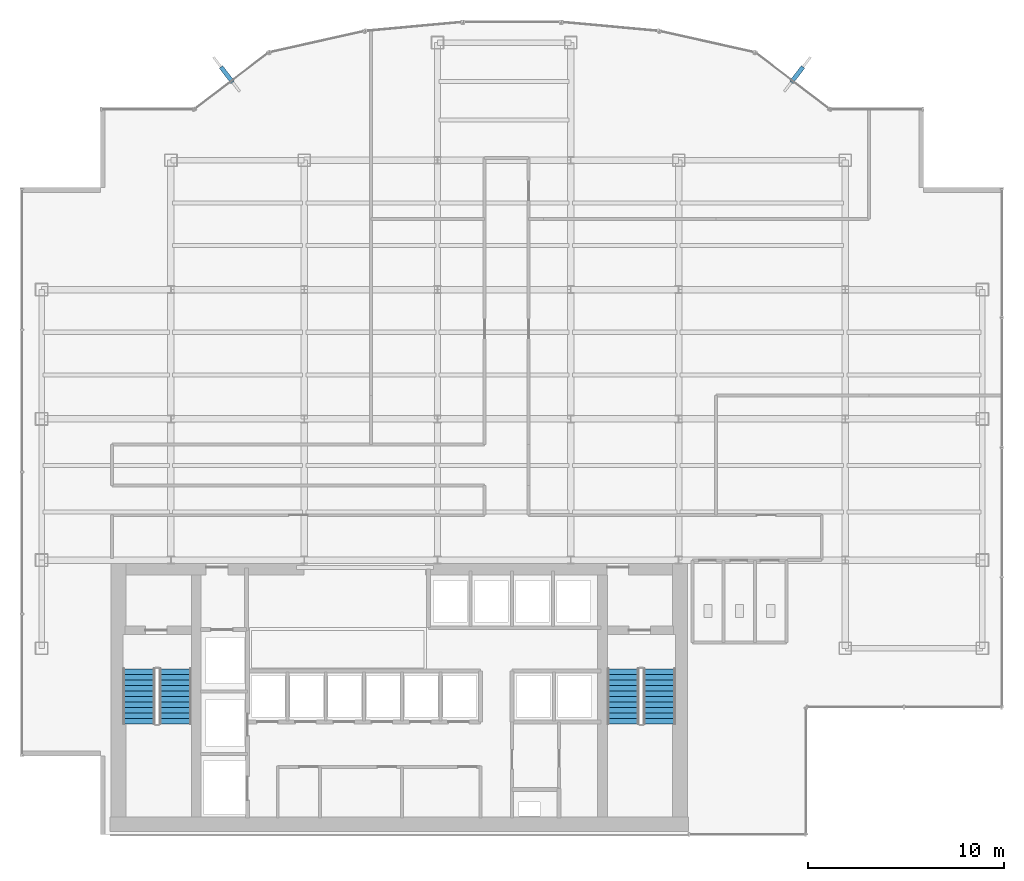
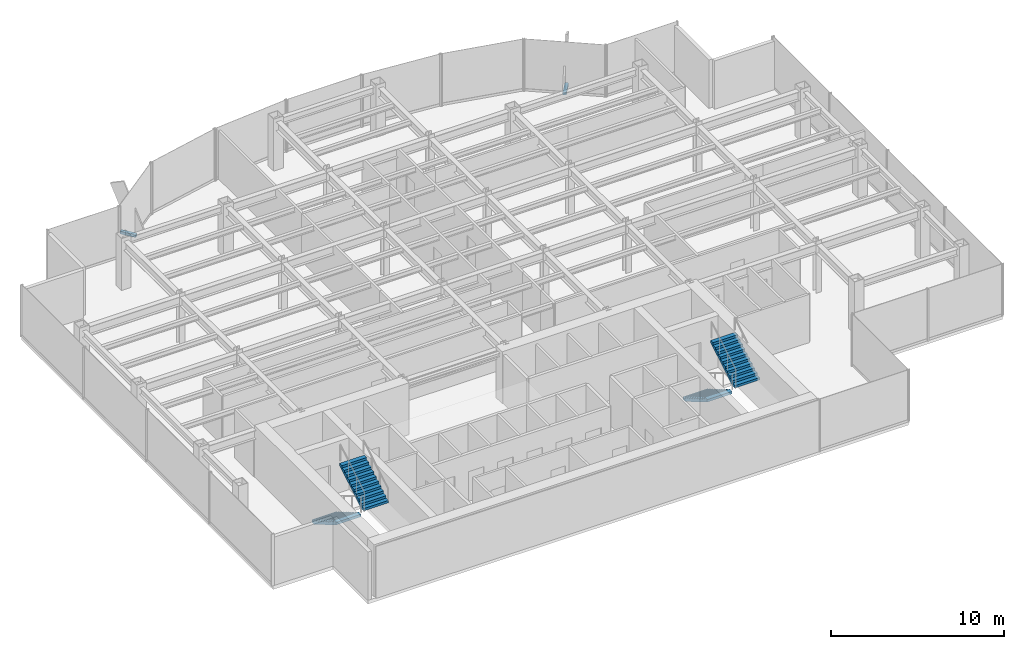
# One storey, part 22 of 25: 4 stair flights, 2 discrete accessories, 2 elements without a shape of their own.
"""IFC4 building model written with IfcOpenShell, lengths in metres."""

from ifc_helpers import new_model, si_unit, derived_unit, direction, frame, origin, origin_2d, place, context, subcontext, project, spatial, polyline, rectangle, outline, extrude, source, transform, mapped, material, type_object, element, aggregate, save


model = new_model("IFC4")

# Units and contexts
model_context = context("Model", 3, precision=1e-05, world=origin(), true_north=direction((0.0, 1.0)))
body_context = subcontext(model_context, "Body", "Model", "MODEL_VIEW")
ifc_project = project(units=[si_unit("LENGTHUNIT", "METRE"), si_unit("AREAUNIT", "SQUARE_METRE"), si_unit("VOLUMEUNIT", "CUBIC_METRE"), si_unit("PLANEANGLEUNIT", "RADIAN"), si_unit("MASSUNIT", "GRAM", prefix="KILO"), derived_unit("THERMALTRANSMITTANCEUNIT", [(si_unit("POWERUNIT", "WATT"), 1), (si_unit("LENGTHUNIT", "METRE"), -2), (si_unit("THERMODYNAMICTEMPERATUREUNIT", "KELVIN"), -1)])], contexts=[model_context])

# Site, building, storey
site_placement = place(None, origin())
site = spatial("IfcSite", under=ifc_project, at=site_placement, CompositionType="ELEMENT")
building_placement = place(site_placement, origin())
building = spatial("IfcBuilding", under=site, at=building_placement, Name="Skarnbrae Concourse Arena and Tower", CompositionType="ELEMENT")
storey_placement = place(building_placement, frame((0.0, 0.0, 162.5)))
storey = spatial("IfcBuildingStorey", under=building, at=storey_placement, Name="L41", CompositionType="ELEMENT", Elevation=162.5)

# Stair, stair flights
ifc_material_1 = material(Name="Concrete 40 MPa (C40/50)", Category="concrete")
stair_type = type_object("IfcStairType", Name="STAIR-DOGLEG-1650", PredefinedType="HALF_TURN_STAIR", material=ifc_material_1)
stair_1_placement = place(storey_placement, origin())
stair_1 = element("IfcStair", 1, at=stair_1_placement, inside=storey, type_object=stair_type, Name="L41 Protected Exit Stair ST-1", PredefinedType="HALF_TURN_STAIR")
stair_flight_type = type_object("IfcStairFlightType", Name="FLIGHT-STRAIGHT-1650", PredefinedType="STRAIGHT", material=ifc_material_1)
shared_shape_1 = source(origin(), body_context, "Body", "SweptSolid", [
    extrude(outline(polyline([(0.0, 0.0), (0.0, 0.166015625), (0.280029296875, 0.166015625), (0.280029296875, 0.331787109375), (0.56005859375, 0.331787109375), (0.56005859375, 0.497802734375), (0.840087890625, 0.497802734375), (0.840087890625, 0.66357421875), (1.1201171875, 0.66357421875), (1.1201171875, 0.82958984375), (1.39990234375, 0.82958984375), (1.39990234375, 0.995361328125), (1.679931640625, 0.995361328125), (1.679931640625, 1.161376953125), (1.9599609375, 1.161376953125), (1.9599609375, 1.327392578125), (2.239990234375, 1.327392578125), (2.239990234375, 1.4931640625), (2.52001953125, 1.4931640625), (2.52001953125, 1.6591796875), (2.800048828125, 1.6591796875), (2.800048828125, 1.824951171875), (2.800048828125, 1.48486328125), (0.2939453125, 0.0), (0.0, 0.0)])), frame((0.0, 0.824951171875, 0.0), z_axis=(0.0, -1.0, 0.0), x_axis=(1.0, 0.0, 0.0)), (0.0, 0.0, 1.0), 1.64990234375),
])
stair_flight_1_placement = place(storey_placement, frame((5.97509765625, 8.449951171875, 0.0), z_axis=(0.0, 0.0, 1.0), x_axis=(0.0, -1.0, 0.0)))
stair_flight_1 = element("IfcStairFlight", 2, at=stair_flight_1_placement, type_object=stair_flight_type, Name="ST-1 flight 1", NumberOfRisers=11, NumberOfTreads=10, PredefinedType="STRAIGHT", RiserHeight=0.165909091, TreadLength=0.28, context=body_context, shape_type="MappedRepresentation", body=[
    mapped(shared_shape_1, transform((0.0, 0.0, 0.0))),
])
stair_flight_2_placement = place(storey_placement, frame((7.824951171875, 5.64990234375, 1.824951171875), z_axis=(0.0, 0.0, 1.0), x_axis=(0.0, 1.0, 0.0)))
stair_flight_2 = element("IfcStairFlight", 3, at=stair_flight_2_placement, type_object=stair_flight_type, Name="ST-1 flight 2", NumberOfRisers=11, NumberOfTreads=10, PredefinedType="STRAIGHT", RiserHeight=0.165909091, TreadLength=0.28, context=body_context, shape_type="MappedRepresentation", body=[
    mapped(shared_shape_1, transform((0.0, 0.0, 0.0))),
])
aggregate(stair_1, [stair_flight_1, stair_flight_2])

stair_2_placement = place(storey_placement, origin())
stair_2 = element("IfcStair", 4, at=stair_2_placement, inside=storey, type_object=stair_type, Name="L41 Protected Exit Stair ST-2", PredefinedType="HALF_TURN_STAIR")
stair_flight_3_placement = place(storey_placement, frame((30.675048828125, 8.449951171875, 0.0), z_axis=(0.0, 0.0, 1.0), x_axis=(0.0, -1.0, 0.0)))
stair_flight_3 = element("IfcStairFlight", 5, at=stair_flight_3_placement, type_object=stair_flight_type, Name="ST-2 flight 1", NumberOfRisers=11, NumberOfTreads=10, PredefinedType="STRAIGHT", RiserHeight=0.165909091, TreadLength=0.28, context=body_context, shape_type="MappedRepresentation", body=[
    mapped(shared_shape_1, transform((0.0, 0.0, 0.0))),
])
stair_flight_4_placement = place(storey_placement, frame((32.52490234375, 5.64990234375, 1.824951171875), z_axis=(0.0, 0.0, 1.0), x_axis=(0.0, 1.0, 0.0)))
stair_flight_4 = element("IfcStairFlight", 6, at=stair_flight_4_placement, type_object=stair_flight_type, Name="ST-2 flight 2", NumberOfRisers=11, NumberOfTreads=10, PredefinedType="STRAIGHT", RiserHeight=0.165909091, TreadLength=0.28, context=body_context, shape_type="MappedRepresentation", body=[
    mapped(shared_shape_1, transform((0.0, 0.0, 0.0))),
])
aggregate(stair_2, [stair_flight_3, stair_flight_4])

# Discrete accessories
ifc_material_2 = material(Name="Bronze anodised aluminium 6063-T6", Category="aluminium")
discrete_accessory_type = type_object("IfcDiscreteAccessoryType", Name="ACC-FIN-BRACKET", PredefinedType="BRACKET", material=ifc_material_2)
shared_shape_2 = source(origin(), body_context, "Body", "SweptSolid", [
    extrude(rectangle(XDim=0.219970703125, YDim=0.97998046875, at=origin_2d()), origin(), (0.0, 0.0, 1.0), 0.179931640625),
])
for number, where, z_axis, x_axis, name in (
    (7, (39.54736328125, 38.764404296875, -0.02978515625), (0.0, 0.0, 1.0), (0.794954941871, -0.606668476513, 0.0), "L41 Bronze fin foot support bracket 08"),
    (8, (10.45263671875, 38.764404296875, -0.02978515625), (0.0, 0.0, 1.0), (0.794954941871, 0.606668476513, 0.0), "L41 Bronze fin foot support bracket 14"),
):
    element("IfcDiscreteAccessory", number, at=place(storey_placement, frame(where, z_axis=z_axis, x_axis=x_axis)), inside=storey, type_object=discrete_accessory_type, Name=name, PredefinedType="BRACKET", context=body_context, shape_type="MappedRepresentation", body=[
        mapped(shared_shape_2, transform((0.0, 0.0, 0.0))),
    ])

save(model, "model.ifc")
